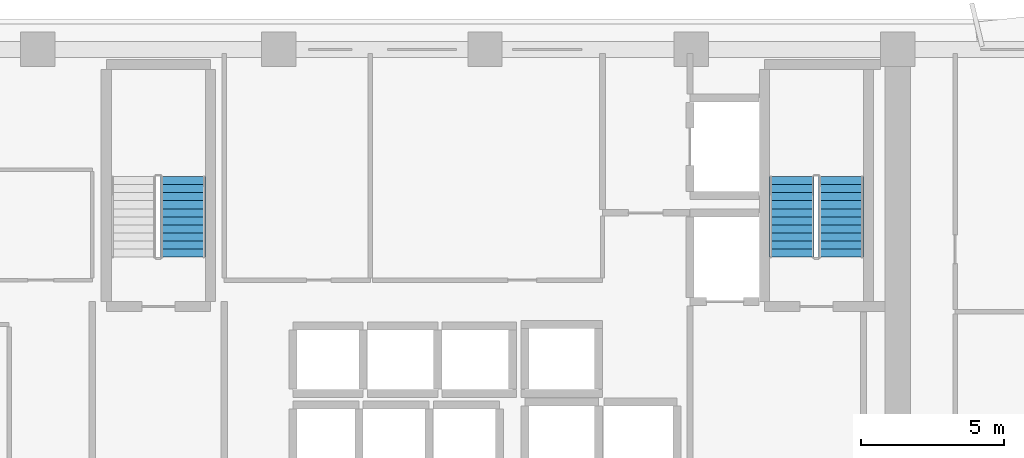
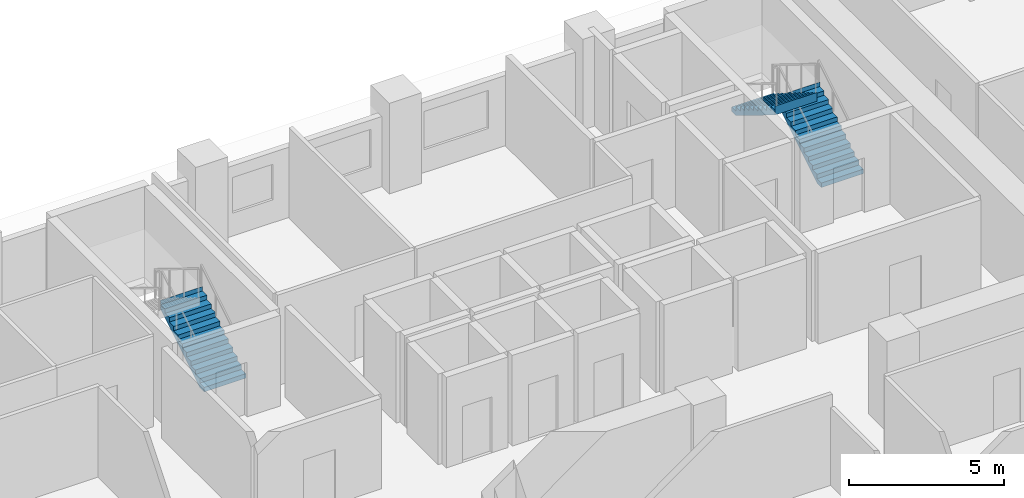
# One storey, part 10 of 15: 3 stair flights, 2 elements without a shape of their own.
"""IFC4 building model written with IfcOpenShell, lengths in metres."""

import ifcopenshell
import ifcopenshell.guid

model = None  # the IFC model being written
_history = None  # IfcOwnerHistory: only IFC2X3 demands one
_inside = {}  # id of a spatial element -> (the spatial element, [elements in it])
_under = {}  # id of a project, library or spatial element -> (it, [spatial elements below it])
_declared = {}  # id of a project -> (the project, [libraries it declares])
_typed = {}  # id of a type object -> (the type object, [elements of that type])
_made_of = {}  # id of a material, layer set ... -> (it, [elements and type objects made of it])


def new_model(schema):
    """Start an empty IFC model of exactly this schema.

    Asked for "IFC4X3", IfcOpenShell would pick the latest addendum, in which some entities
    have other attributes; the version numbers below select the first issue.
    IFC2X3 requires an IfcOwnerHistory on every rooted entity: one is made here for all.
    """
    global model, _history
    if schema == "IFC4X3":
        model = ifcopenshell.file(schema_version=(4, 3, 0, 0))
    else:
        model = ifcopenshell.file(schema=schema)
    _inside.clear()
    _under.clear()
    _declared.clear()
    _typed.clear()
    _made_of.clear()
    _history = None
    if model.schema == "IFC2X3":
        org = make("IfcOrganization", Name="unknown")
        user = make(
            "IfcPersonAndOrganization",
            ThePerson=make("IfcPerson", FamilyName="unknown"),
            TheOrganization=org,
        )
        app = make(
            "IfcApplication",
            ApplicationDeveloper=org,
            Version="unknown",
            ApplicationFullName="unknown",
            ApplicationIdentifier="unknown",
        )
        _history = make(
            "IfcOwnerHistory",
            OwningUser=user,
            OwningApplication=app,
            ChangeAction="ADDED",
            CreationDate=0,
        )
    return model


def make(cls, **values):
    """One entity of the class cls with the attributes given. An attribute that is None is left unset."""
    return model.create_entity(
        cls, **{name: value for name, value in values.items() if value is not None}
    )


def rooted(cls, **values):
    """An entity with a GlobalId (a new one), such as an element, a storey or a relation."""
    return make(cls, GlobalId=ifcopenshell.guid.new(), OwnerHistory=_history, **values)


def si_unit(unit_type, name, prefix=None):
    """IfcSIUnit, for example si_unit("LENGTHUNIT", "METRE", prefix="MILLI")."""
    return make("IfcSIUnit", UnitType=unit_type, Prefix=prefix, Name=name)


def assignment(units):
    """IfcUnitAssignment: the units of a project."""
    return None if units is None else make("IfcUnitAssignment", Units=units)


def point(xyz):
    """IfcCartesianPoint."""
    return None if xyz is None else make("IfcCartesianPoint", Coordinates=xyz)


def direction(xyz):
    """IfcDirection."""
    return None if xyz is None else make("IfcDirection", DirectionRatios=xyz)


def frame(location, z_axis=None, x_axis=None):
    """IfcAxis2Placement3D, a coordinate frame: its origin and axes. An axis left out is left unset."""
    return make(
        "IfcAxis2Placement3D",
        Location=point(location),
        Axis=direction(z_axis),
        RefDirection=direction(x_axis),
    )


def origin():
    """The frame at (0, 0, 0) with its axes left unset."""
    return frame((0.0, 0.0, 0.0))


def place(relative_to, where):
    """IfcLocalPlacement: puts the frame where relative to a parent placement (None: the world)."""
    return make(
        "IfcLocalPlacement", PlacementRelTo=relative_to, RelativePlacement=where
    )


def context(
    kind, dimensions, precision=None, world=None, true_north=None, identifier=None
):
    """IfcGeometricRepresentationContext, for example the 3D "Model" context."""
    return make(
        "IfcGeometricRepresentationContext",
        ContextIdentifier=identifier,
        ContextType=kind,
        CoordinateSpaceDimension=dimensions,
        Precision=precision,
        WorldCoordinateSystem=world,
        TrueNorth=true_north,
    )


def subcontext(parent, identifier, kind, view, scale=None):
    """IfcGeometricRepresentationSubContext, for example "Body" below "Model"."""
    return make(
        "IfcGeometricRepresentationSubContext",
        ContextIdentifier=identifier,
        ContextType=kind,
        ParentContext=parent,
        TargetScale=scale,
        TargetView=view,
    )


def project(units=None, contexts=None):
    """IfcProject with its units and contexts."""
    return rooted(
        "IfcProject",
        Name="project",
        RepresentationContexts=contexts,
        UnitsInContext=assignment(units),
    )


def spatial(cls, under=None, at=None, **own):
    """A site, building, storey or space (cls), placed at a placement, below another one or the project."""
    s = rooted(cls, ObjectPlacement=at, **own)
    if under is not None:
        _under.setdefault(under.id(), (under, []))[1].append(s)
    return s


def polyline(points):
    """IfcPolyline through the points."""
    return make("IfcPolyline", Points=[point(p) for p in points])


def outline(outer, holes=None, kind="AREA"):
    """IfcArbitraryClosedProfileDef: a profile drawn as a closed curve; with holes, ...WithVoids."""
    if holes is None:
        return make("IfcArbitraryClosedProfileDef", ProfileType=kind, OuterCurve=outer)
    return make(
        "IfcArbitraryProfileDefWithVoids",
        ProfileType=kind,
        OuterCurve=outer,
        InnerCurves=holes,
    )


def extrude(swept, where, along, depth):
    """IfcExtrudedAreaSolid: the profile swept, set in the frame where, extruded along a direction by depth."""
    return make(
        "IfcExtrudedAreaSolid",
        SweptArea=swept,
        Position=where,
        ExtrudedDirection=direction(along),
        Depth=depth,
    )


def shape(context_of_items, identifier, shape_type, items):
    """IfcShapeRepresentation: the items that make up one representation, for example the "Body"."""
    return make(
        "IfcShapeRepresentation",
        ContextOfItems=context_of_items,
        RepresentationIdentifier=identifier,
        RepresentationType=shape_type,
        Items=items,
    )


def material(Name=None, Category=None):
    """IfcMaterial."""
    return make("IfcMaterial", Name=Name, Category=Category)


def made_of(thing, what):
    """Note that an element or type object is made of a material, layer set ...; save() writes the relation."""
    if what is not None:
        _made_of.setdefault(what.id(), (what, []))[1].append(thing)
    return thing


def type_object(cls, material=None, **own):
    """A type object (cls), such as IfcWallType, which elements share."""
    return made_of(rooted(cls, **own), material)


def element(
    cls,
    number,
    at=None,
    inside=None,
    cuts=None,
    type_object=None,
    material=None,
    context=None,
    identifier="Body",
    shape_type=None,
    held_by="IfcProductDefinitionShape",
    body=None,
    shapes=None,
    **own,
):
    """One element of the class cls, such as IfcWall. Its Tag is "e" and its number.

    at: its placement. inside: the storey or other place that contains it. cuts: it is an
    opening in that element (IfcRelVoidsElement). A single representation is given by context,
    identifier, shape_type and body (its items); several are given by shapes. held_by: the class
    of the entity that holds the representations. save() writes the other relations.
    """
    e = rooted(cls, Tag="e%d" % number, ObjectPlacement=at, **own)
    if body is not None:
        shapes = [shape(context, identifier, shape_type, body)]
    if shapes is not None:
        e.Representation = make(held_by, Representations=shapes)
    if inside is not None:
        _inside.setdefault(inside.id(), (inside, []))[1].append(e)
    if cuts is not None:
        rooted(
            "IfcRelVoidsElement", RelatingBuildingElement=cuts, RelatedOpeningElement=e
        )
    if type_object is not None:
        _typed.setdefault(type_object.id(), (type_object, []))[1].append(e)
    return made_of(e, material)


def aggregate(whole, parts):
    """IfcRelAggregates: a whole, such as a stair, and the parts it consists of."""
    return rooted("IfcRelAggregates", RelatingObject=whole, RelatedObjects=parts)


def save(model, path):
    """Write the relations noted so far, then the file.

    IfcRelAggregates (storeys below a building ...), IfcRelContainedInSpatialStructure (elements
    in a storey), IfcRelDefinesByType, IfcRelAssociatesMaterial and IfcRelDeclares: one each for
    every whole, place, type object, material and project.
    """
    for whole, parts in _under.values():
        aggregate(whole, parts)
    for where, things in _inside.values():
        rooted(
            "IfcRelContainedInSpatialStructure",
            RelatedElements=things,
            RelatingStructure=where,
        )
    for kind, things in _typed.values():
        rooted("IfcRelDefinesByType", RelatedObjects=things, RelatingType=kind)
    for what, things in _made_of.values():
        rooted("IfcRelAssociatesMaterial", RelatedObjects=things, RelatingMaterial=what)
    for by, libraries in _declared.values():
        rooted("IfcRelDeclares", RelatingContext=by, RelatedDefinitions=libraries)
    model.write(path)


model = new_model("IFC4")

# Units and contexts
model_context = context("Model", 3, precision=1e-05, world=origin(), true_north=direction((0.0, 1.0)))
body_context = subcontext(model_context, "Body", "Model", "MODEL_VIEW")
ifc_project = project(units=[si_unit("LENGTHUNIT", "METRE"), si_unit("AREAUNIT", "SQUARE_METRE"), si_unit("VOLUMEUNIT", "CUBIC_METRE"), si_unit("PLANEANGLEUNIT", "RADIAN"), si_unit("MASSUNIT", "GRAM", prefix="KILO")], contexts=[model_context])

# Site, building, storey
site_placement = place(None, origin())
site = spatial("IfcSite", under=ifc_project, at=site_placement, CompositionType="ELEMENT")
building_placement = place(site_placement, origin())
building = spatial("IfcBuilding", under=site, at=building_placement, Name="Kaelvorn Grand Hotel", CompositionType="ELEMENT")
storey_placement = place(building_placement, frame((0.0, 0.0, 177.14990234375)))
storey = spatial("IfcBuildingStorey", under=building, at=storey_placement, Name="L43", CompositionType="ELEMENT", Elevation=177.14990234375)

# Stair, stair flight
ifc_material = material(Name="Concrete C40/50", Category="concrete")
stair_type = type_object("IfcStairType", Name="STR-DOG-1560-R08", PredefinedType="HALF_TURN_STAIR", material=ifc_material)
stair_1_placement = place(storey_placement, origin())
stair_1 = element("IfcStair", 1, at=stair_1_placement, inside=storey, type_object=stair_type, Name="L43 Central Core Exit Stair ST2", PredefinedType="HALF_TURN_STAIR")
stair_flight_type = type_object("IfcStairFlightType", Name="FLG-DOG-1560-R08", PredefinedType="STRAIGHT", material=ifc_material)
stair_flight_1_placement = place(storey_placement, frame((42.860107421875, 41.760009765625, 0.0), z_axis=(0.0, 0.0, 1.0), x_axis=(0.0, 1.0, 0.0)))
stair_flight_1 = element("IfcStairFlight", 2, at=stair_flight_1_placement, type_object=stair_flight_type, Name="ST2 flight 1", NumberOfRisers=11, NumberOfTreads=10, PredefinedType="STRAIGHT", RiserHeight=0.172727273, TreadLength=0.28, context=body_context, shape_type="SweptSolid", body=[
    extrude(outline(polyline([(-0.0048828125, 0.0), (-0.0048828125, 0.0400390625), (0.0, 0.172607421875), (0.280029296875, 0.172607421875), (0.280029296875, 0.345458984375), (0.56005859375, 0.345458984375), (0.56005859375, 0.51806640625), (0.840087890625, 0.51806640625), (0.840087890625, 0.69091796875), (1.1201171875, 0.69091796875), (1.1201171875, 0.863525390625), (1.39990234375, 0.863525390625), (1.39990234375, 1.036376953125), (1.679931640625, 1.036376953125), (1.679931640625, 1.208984375), (1.9599609375, 1.208984375), (1.9599609375, 1.3818359375), (2.239990234375, 1.3818359375), (2.239990234375, 1.554443359375), (2.52001953125, 1.554443359375), (2.52001953125, 1.727294921875), (2.800048828125, 1.727294921875), (2.800048828125, 1.89990234375), (2.804931640625, 1.89990234375), (2.804931640625, 1.551025390625), (0.285400390625, 0.0), (-0.0048828125, 0.0)])), frame((0.0, 0.780029296875, 0.0), z_axis=(0.0, -1.0, 0.0), x_axis=(1.0, 0.0, 0.0)), (0.0, 0.0, 1.0), 1.56005859375),
])
aggregate(stair_1, [stair_flight_1])

# Stair, stair flights
stair_2_placement = place(storey_placement, origin())
stair_2 = element("IfcStair", 3, at=stair_2_placement, inside=storey, type_object=stair_type, Name="L43 East Core Exit Stair ST3", PredefinedType="HALF_TURN_STAIR")
stair_flight_2_placement = place(storey_placement, frame((65.820068359375, 41.760009765625, 0.0), z_axis=(0.0, 0.0, 1.0), x_axis=(0.0, 1.0, 0.0)))
stair_flight_2 = element("IfcStairFlight", 4, at=stair_flight_2_placement, type_object=stair_flight_type, Name="ST3 flight 1", NumberOfRisers=11, NumberOfTreads=10, PredefinedType="STRAIGHT", RiserHeight=0.172727273, TreadLength=0.28, context=body_context, shape_type="SweptSolid", body=[
    extrude(outline(polyline([(-0.0048828125, 0.0), (-0.0048828125, 0.0400390625), (0.0, 0.172607421875), (0.280029296875, 0.172607421875), (0.280029296875, 0.345458984375), (0.56005859375, 0.345458984375), (0.56005859375, 0.51806640625), (0.840087890625, 0.51806640625), (0.840087890625, 0.69091796875), (1.1201171875, 0.69091796875), (1.1201171875, 0.863525390625), (1.39990234375, 0.863525390625), (1.39990234375, 1.036376953125), (1.679931640625, 1.036376953125), (1.679931640625, 1.208984375), (1.9599609375, 1.208984375), (1.9599609375, 1.3818359375), (2.239990234375, 1.3818359375), (2.239990234375, 1.554443359375), (2.52001953125, 1.554443359375), (2.52001953125, 1.727294921875), (2.800048828125, 1.727294921875), (2.800048828125, 1.89990234375), (2.804931640625, 1.89990234375), (2.804931640625, 1.551025390625), (0.285400390625, 0.0), (-0.0048828125, 0.0)])), frame((0.0, 0.780029296875, 0.0), z_axis=(0.0, -1.0, 0.0), x_axis=(1.0, 0.0, 0.0)), (0.0, 0.0, 1.0), 1.56005859375),
])
stair_flight_3_placement = place(storey_placement, frame((64.10009765625, 44.56005859375, 1.900146484375), z_axis=(0.0, 0.0, 1.0), x_axis=(0.0, -1.0, 0.0)))
stair_flight_3 = element("IfcStairFlight", 5, at=stair_flight_3_placement, type_object=stair_flight_type, Name="ST3 flight 2", NumberOfRisers=11, NumberOfTreads=10, PredefinedType="STRAIGHT", RiserHeight=0.172727273, TreadLength=0.28, context=body_context, shape_type="SweptSolid", body=[
    extrude(outline(polyline([(-0.0048828125, 0.0), (-0.0048828125, 0.0400390625), (0.0, 0.172607421875), (0.280029296875, 0.172607421875), (0.280029296875, 0.345458984375), (0.56005859375, 0.345458984375), (0.56005859375, 0.51806640625), (0.840087890625, 0.51806640625), (0.840087890625, 0.69091796875), (1.1201171875, 0.69091796875), (1.1201171875, 0.863525390625), (1.39990234375, 0.863525390625), (1.39990234375, 1.036376953125), (1.679931640625, 1.036376953125), (1.679931640625, 1.208984375), (1.9599609375, 1.208984375), (1.9599609375, 1.3818359375), (2.239990234375, 1.3818359375), (2.239990234375, 1.554443359375), (2.52001953125, 1.554443359375), (2.52001953125, 1.727294921875), (2.800048828125, 1.727294921875), (2.800048828125, 1.89990234375), (2.804931640625, 1.89990234375), (2.804931640625, 1.551025390625), (0.285400390625, 0.0), (-0.0048828125, 0.0)])), frame((0.0, 0.780029296875, 0.0), z_axis=(0.0, -1.0, 0.0), x_axis=(1.0, 0.0, 0.0)), (0.0, 0.0, 1.0), 1.56005859375),
])
aggregate(stair_2, [stair_flight_2, stair_flight_3])

save(model, "model.ifc")
